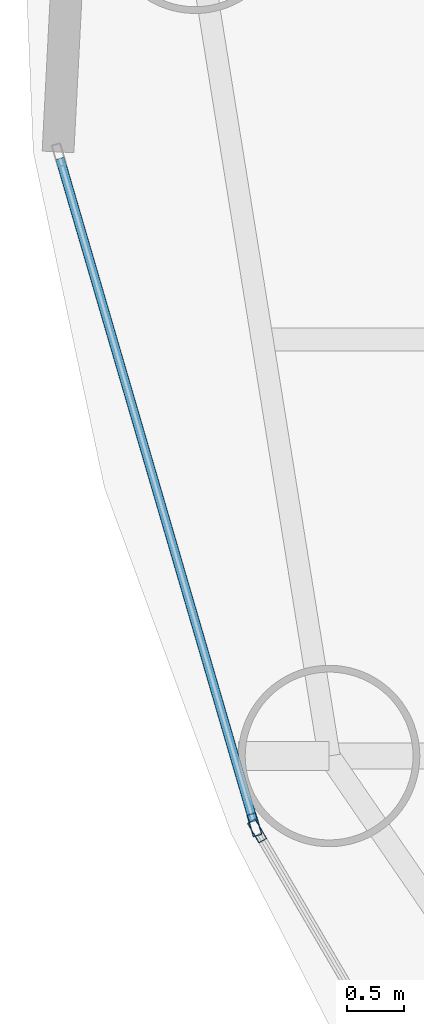
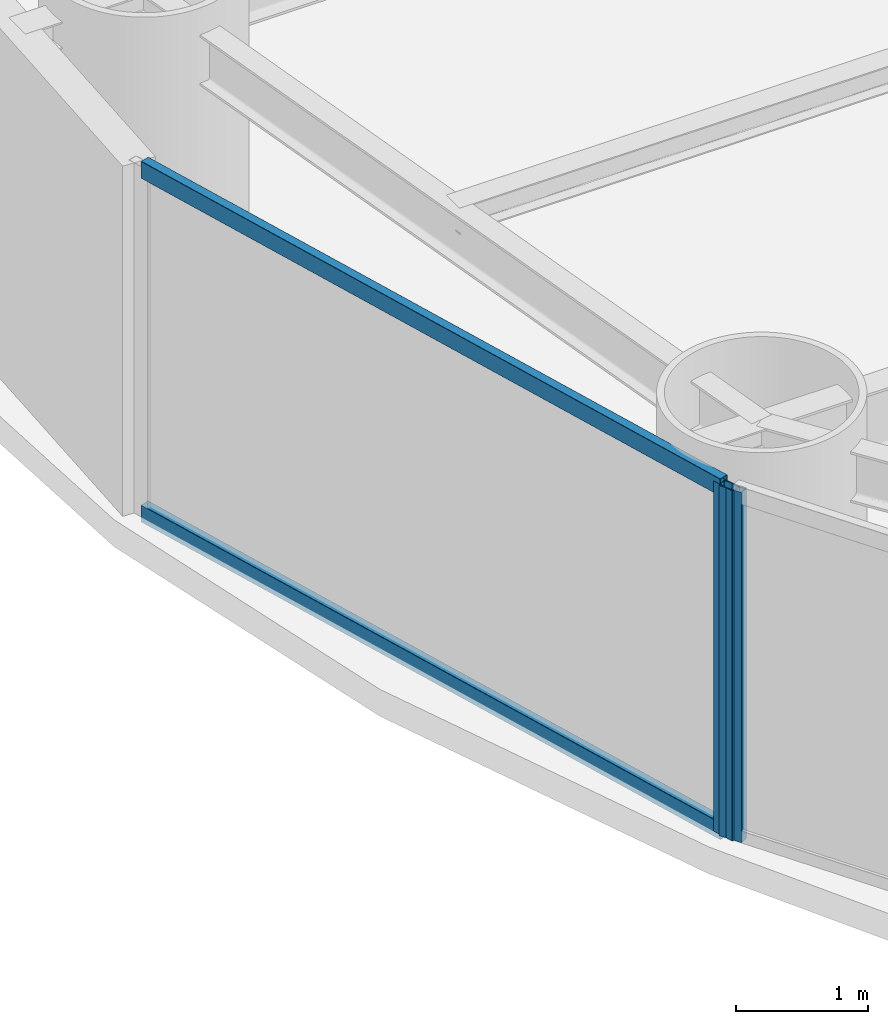
# One storey, part 4 of 30: 4 members, 2 elements without a shape of their own.
"""IFC4 building model written with IfcOpenShell, lengths in metres."""

from ifc_helpers import new_model, si_unit, direction, frame, origin, origin_2d, place, context, subcontext, project, spatial, hollow_rectangle, extrude, material, layer, layer_set, material_profile, profile_set, type_object, element, aggregate, save


model = new_model("IFC4")

# Units and contexts
model_context = context("Model", 3, precision=1e-05, world=origin(), true_north=direction((0.0, 1.0)))
body_context = subcontext(model_context, "Body", "Model", "MODEL_VIEW")
ifc_project = project(units=[si_unit("LENGTHUNIT", "METRE"), si_unit("AREAUNIT", "SQUARE_METRE"), si_unit("VOLUMEUNIT", "CUBIC_METRE"), si_unit("PLANEANGLEUNIT", "RADIAN"), si_unit("MASSUNIT", "GRAM", prefix="KILO")], contexts=[model_context])

# Site, building, storey
site_placement = place(None, origin())
site = spatial("IfcSite", under=ifc_project, at=site_placement, CompositionType="ELEMENT")
building_placement = place(site_placement, origin())
building = spatial("IfcBuilding", under=site, at=building_placement, Name="Bramvorn Convention Spire", CompositionType="ELEMENT")
storey_placement = place(building_placement, frame((0.0, 0.0, 90.39990234375)))
storey = spatial("IfcBuildingStorey", under=building, at=storey_placement, Name="L21", CompositionType="ELEMENT", Elevation=90.39990234375)

# Curtain wall, member
ifc_material_1 = material(Name="Anodised Bronze Unitised Curtain Wall", Category="aluminium")
ifc_layer = layer(ifc_material_1, 0.179931640625)
ifc_layer_set = layer_set([ifc_layer], Name="Anodised Bronze Unitised Curtain Wall - CW-HTL-FRIT")
curtain_wall_type = type_object("IfcCurtainWallType", Name="CW-HTL-FRIT", PredefinedType="USERDEFINED", material=ifc_layer_set)
curtain_wall_1_placement = place(storey_placement, origin())
curtain_wall_1 = element("IfcCurtainWall", 1, at=curtain_wall_1_placement, inside=storey, type_object=curtain_wall_type, Name="L21 fritted glass curtain wall 14", ObjectType="UNITISED CURTAIN WALL", PredefinedType="USERDEFINED")
ifc_material_2 = material(Name="Anodised Bronze Aluminium 6063-T6", Category="aluminium")
ifc_material_profile_1 = material_profile(ifc_material_2, hollow_rectangle(XDim=0.080078125, YDim=0.199951171875, WallThickness=0.00390625, InnerFilletRadius=0.0009765625, OuterFilletRadius=0.00390625, at=origin_2d()))
ifc_profile_set_1 = profile_set([ifc_material_profile_1], Name="Anodised Bronze Aluminium 6063-T6 - CWM80X200")
member_type_1 = type_object("IfcMemberType", Name="CW-MUL-180", PredefinedType="MULLION", material=ifc_profile_set_1)
member_1_placement = place(storey_placement, frame((10.002685546875, 22.0537109375, 0.0), z_axis=(0.0, 0.0, 1.0), x_axis=(-0.959947878681, -0.280178639826, 0.0)))
member_1 = element("IfcMember", 2, at=member_1_placement, type_object=member_type_1, Name="CW2 mullion 1", PredefinedType="MULLION", context=body_context, shape_type="SweptSolid", body=[
    extrude(hollow_rectangle(XDim=0.080078125, YDim=0.199951171875, WallThickness=0.00390625, InnerFilletRadius=0.0009765625, OuterFilletRadius=0.00390625, at=origin_2d()), origin(), (0.0, 0.0, 1.0), 3.25),
])

curtain_wall_2_placement = place(storey_placement, origin())
curtain_wall_2 = element("IfcCurtainWall", 3, at=curtain_wall_2_placement, inside=storey, type_object=curtain_wall_type, Name="L21 fritted glass curtain wall 15", ObjectType="UNITISED CURTAIN WALL", PredefinedType="USERDEFINED")
member_2_placement = place(storey_placement, frame((10.0263671875, 21.9990234375, 0.0), z_axis=(0.0, 0.0, 1.0), x_axis=(-0.862629089126, -0.505836984209, 0.0)))
member_2 = element("IfcMember", 4, at=member_2_placement, type_object=member_type_1, Name="CW2 mullion 2", PredefinedType="MULLION", context=body_context, shape_type="SweptSolid", body=[
    extrude(hollow_rectangle(XDim=0.080078125, YDim=0.199951171875, WallThickness=0.00390625, InnerFilletRadius=0.0009765625, OuterFilletRadius=0.00390625, at=origin_2d()), origin(), (0.0, 0.0, 1.0), 3.25),
])
aggregate(curtain_wall_2, [member_2])

# Member
ifc_material_profile_2 = material_profile(ifc_material_2, hollow_rectangle(XDim=0.080078125, YDim=0.159912109375, WallThickness=0.00390625, InnerFilletRadius=0.0009765625, OuterFilletRadius=0.00390625, at=origin_2d()))
ifc_profile_set_2 = profile_set([ifc_material_profile_2], Name="Anodised Bronze Aluminium 6063-T6 - CWT80X160")
member_type_2 = type_object("IfcMemberType", Name="CW-TRN-150", PredefinedType="USERDEFINED", material=ifc_profile_set_2)
member_3_placement = place(storey_placement, frame((9.994384765625, 22.082275390625, 0.030029296875), z_axis=(-0.280163116534, 0.959952409307, 0.0), x_axis=(-0.959952409307, -0.280163116534, 0.0)))
member_3 = element("IfcMember", 5, at=member_3_placement, type_object=member_type_2, Name="CW2 transom 1.1", ObjectType="TRANSOM", PredefinedType="USERDEFINED", context=body_context, shape_type="SweptSolid", body=[
    extrude(hollow_rectangle(XDim=0.080078125, YDim=0.159912109375, WallThickness=0.00390625, InnerFilletRadius=0.0009765625, OuterFilletRadius=0.00390625, at=origin_2d()), origin(), (0.0, 0.0, 1.0), 6.092041015625),
])

member_4_placement = place(storey_placement, frame((9.994384765625, 22.082275390625, 3.22021484375), z_axis=(-0.280163116534, 0.959952409307, 0.0), x_axis=(-0.959952409307, -0.280163116534, 0.0)))
member_4 = element("IfcMember", 6, at=member_4_placement, type_object=member_type_2, Name="CW2 transom 1.2", ObjectType="TRANSOM", PredefinedType="USERDEFINED", context=body_context, shape_type="SweptSolid", body=[
    extrude(hollow_rectangle(XDim=0.080078125, YDim=0.159912109375, WallThickness=0.00390625, InnerFilletRadius=0.0009765625, OuterFilletRadius=0.00390625, at=origin_2d()), origin(), (0.0, 0.0, 1.0), 6.092041015625),
])

aggregate(curtain_wall_1, [member_1, member_3, member_4])

save(model, "model.ifc")
